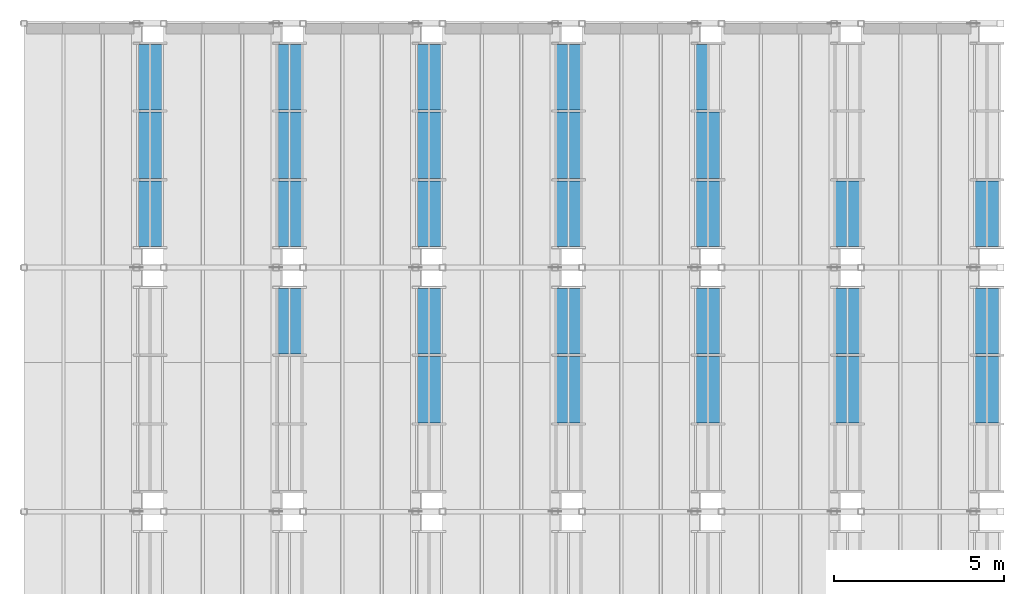
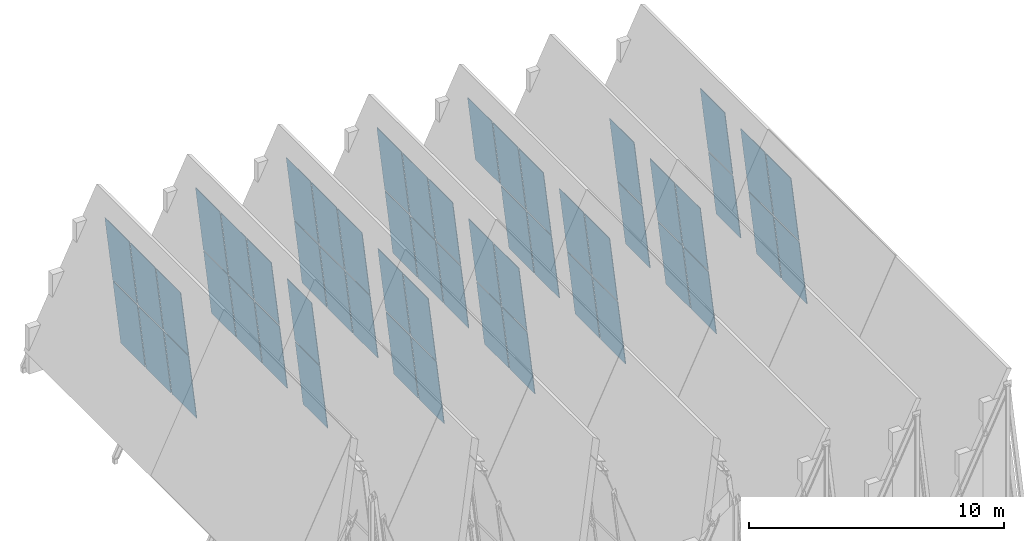
# One storey, part 16 of 28: 55 plates, 13 elements without a shape of their own.
"""IFC4 building model written with IfcOpenShell, lengths in metres."""

from ifc_helpers import new_model, si_unit, direction, frame, origin, place, context, subcontext, project, spatial, polyline, outline, extrude, material, layer, layer_set, type_object, element, aggregate, save


model = new_model("IFC4")

# Units and contexts
model_context = context("Model", 3, precision=1e-05, world=origin(), true_north=direction((0.0, 1.0)))
body_context = subcontext(model_context, "Body", "Model", "MODEL_VIEW")
ifc_project = project(units=[si_unit("LENGTHUNIT", "METRE"), si_unit("AREAUNIT", "SQUARE_METRE"), si_unit("VOLUMEUNIT", "CUBIC_METRE"), si_unit("PLANEANGLEUNIT", "RADIAN"), si_unit("MASSUNIT", "GRAM", prefix="KILO")], contexts=[model_context])

# Site, building, storey
site_placement = place(None, origin())
site = spatial("IfcSite", under=ifc_project, at=site_placement, CompositionType="ELEMENT")
building_placement = place(site_placement, origin())
building = spatial("IfcBuilding", under=site, at=building_placement, Name="Bramveld Media Centre", CompositionType="ELEMENT")
storey_placement = place(building_placement, frame((0.0, 0.0, 33.89990234375)))
storey = spatial("IfcBuildingStorey", under=building, at=storey_placement, Name="ROOF", CompositionType="ELEMENT", Elevation=33.89990234375)

# Curtain wall, plates
ifc_material_1 = material(Name="Thermally broken anodized bronze aluminium unitized curtain wall with solar-control triple glazing", Category="aluminium")
curtain_wall_type = type_object("IfcCurtainWallType", Name="CW-CRN-6100x6941", PredefinedType="NOTDEFINED", material=ifc_material_1)
curtain_wall_1_placement = place(storey_placement, origin())
curtain_wall_1 = element("IfcCurtainWall", 1, at=curtain_wall_1_placement, inside=storey, type_object=curtain_wall_type, Name="V7 crown clerestory B1-S4", PredefinedType="NOTDEFINED")
ifc_material_2 = material(Name="Solar-control triple insulating safety glass unit", Category="glass")
ifc_layer = layer(ifc_material_2, 0.028076171875)
ifc_layer_set = layer_set([ifc_layer], Name="Solar-control triple insulating safety glass unit")
plate_type = type_object("IfcPlateType", Name="CW-PAN-SLP", PredefinedType="CURTAIN_PANEL", material=ifc_layer_set)
plate_1_placement = place(storey_placement, frame((135.2783203125, 105.419921875, 0.290771484375), z_axis=(0.993328224304, 0.0, 0.115321458548), x_axis=(0.0, 1.0, 0.0)))
plate_1 = element("IfcPlate", 2, at=plate_1_placement, type_object=plate_type, Name="CW-CR-6169 glass panel 1.1", PredefinedType="CURTAIN_PANEL", context=body_context, shape_type="SweptSolid", body=[
    extrude(outline(polyline([(0.0, 0.0), (1.928466796875, 0.0), (1.928466796875, 3.1226401955900727), (0.0, 3.1226401955900727), (0.0, 0.0)])), origin(), (0.0, 0.0, -1.0), 0.028076171875),
])
plate_2_placement = place(storey_placement, frame((134.910400390625, 105.419921875, 3.462158203125), z_axis=(0.993329263955, 0.0, 0.115312503096), x_axis=(0.0, 1.0, 0.0)))
plate_2 = element("IfcPlate", 3, at=plate_2_placement, type_object=plate_type, Name="CW-CR-6169 glass panel 1.2", PredefinedType="CURTAIN_PANEL", context=body_context, shape_type="SweptSolid", body=[
    extrude(outline(polyline([(0.0, 0.0), (1.928466796875, 0.0), (1.928466796875, 3.1228827074905), (0.0, 3.1228827074905), (0.0, 0.0)])), origin(), (0.0, 0.0, -1.0), 0.028076171875),
])
plate_3_placement = place(storey_placement, frame((135.2783203125, 107.418212890625, 0.290771484375), z_axis=(0.993328224304, 0.0, 0.115321458548), x_axis=(0.0, 1.0, 0.0)))
plate_3 = element("IfcPlate", 4, at=plate_3_placement, type_object=plate_type, Name="CW-CR-6169 glass panel 2.1", PredefinedType="CURTAIN_PANEL", context=body_context, shape_type="SweptSolid", body=[
    extrude(outline(polyline([(0.0, 0.0), (1.96337890625, 0.0), (1.96337890625, 3.122640195590072), (0.0, 3.122640195590072), (0.0, 0.0)])), origin(), (0.0, 0.0, -1.0), 0.028076171875),
])
plate_4_placement = place(storey_placement, frame((134.910400390625, 107.418212890625, 3.462158203125), z_axis=(0.993329263955, 0.0, 0.115312503096), x_axis=(0.0, 1.0, 0.0)))
plate_4 = element("IfcPlate", 5, at=plate_4_placement, type_object=plate_type, Name="CW-CR-6169 glass panel 2.2", PredefinedType="CURTAIN_PANEL", context=body_context, shape_type="SweptSolid", body=[
    extrude(outline(polyline([(0.0, 0.0), (1.96337890625, 0.0), (1.96337890625, 3.1228827074904997), (0.0, 3.1228827074904997), (0.0, 0.0)])), origin(), (0.0, 0.0, -1.0), 0.028076171875),
])
plate_5_placement = place(storey_placement, frame((135.2783203125, 109.45166015625, 0.290771484375), z_axis=(0.993328224304, 0.0, 0.115321458548), x_axis=(0.0, 1.0, 0.0)))
plate_5 = element("IfcPlate", 6, at=plate_5_placement, type_object=plate_type, Name="CW-CR-6169 glass panel 3.1", PredefinedType="CURTAIN_PANEL", context=body_context, shape_type="SweptSolid", body=[
    extrude(outline(polyline([(0.0, 0.0), (1.92822265625, 0.0), (1.92822265625, 3.1226401955900727), (0.0, 3.1226401955900727), (0.0, 0.0)])), origin(), (0.0, 0.0, -1.0), 0.028076171875),
])
plate_6_placement = place(storey_placement, frame((134.910400390625, 109.45166015625, 3.462158203125), z_axis=(0.993329263955, 0.0, 0.115312503096), x_axis=(0.0, 1.0, 0.0)))
plate_6 = element("IfcPlate", 7, at=plate_6_placement, type_object=plate_type, Name="CW-CR-6169 glass panel 3.2", PredefinedType="CURTAIN_PANEL", context=body_context, shape_type="SweptSolid", body=[
    extrude(outline(polyline([(0.0, 0.0), (1.92822265625, 0.0), (1.92822265625, 3.1228827074904997), (0.0, 3.1228827074904997), (0.0, 0.0)])), origin(), (0.0, 0.0, -1.0), 0.028076171875),
])
aggregate(curtain_wall_1, [plate_1, plate_2, plate_3, plate_4, plate_5, plate_6])

curtain_wall_2_placement = place(storey_placement, origin())
curtain_wall_2 = element("IfcCurtainWall", 8, at=curtain_wall_2_placement, inside=storey, type_object=curtain_wall_type, Name="V7 crown clerestory B2-S3", PredefinedType="NOTDEFINED")
plate_7_placement = place(storey_placement, frame((139.392578125, 102.251708984375, 0.290771484375), z_axis=(0.993337177532, 0.0, 0.115244313237), x_axis=(0.0, 1.0, 0.0)))
plate_7 = element("IfcPlate", 9, at=plate_7_placement, type_object=plate_type, Name="CW-CR-6169 glass panel 3.1", PredefinedType="CURTAIN_PANEL", context=body_context, shape_type="SweptSolid", body=[
    extrude(outline(polyline([(0.0, 0.0), (1.92822265625, 0.0), (1.92822265625, 3.122612050354217), (0.0, 3.122612050354217), (0.0, 0.0)])), origin(), (0.0, 0.0, -1.0), 0.028076171875),
])
plate_8_placement = place(storey_placement, frame((139.024658203125, 102.251708984375, 3.462158203125), z_axis=(0.993329263955, 0.0, 0.115312503096), x_axis=(0.0, 1.0, 0.0)))
plate_8 = element("IfcPlate", 10, at=plate_8_placement, type_object=plate_type, Name="CW-CR-6169 glass panel 3.2", PredefinedType="CURTAIN_PANEL", context=body_context, shape_type="SweptSolid", body=[
    extrude(outline(polyline([(0.0, 0.0), (1.92822265625, 0.0), (1.92822265625, 3.1228827074904997), (0.0, 3.1228827074904997), (0.0, 0.0)])), origin(), (0.0, 0.0, -1.0), 0.028076171875),
])
aggregate(curtain_wall_2, [plate_7, plate_8])

curtain_wall_3_placement = place(storey_placement, origin())
curtain_wall_3 = element("IfcCurtainWall", 11, at=curtain_wall_3_placement, inside=storey, type_object=curtain_wall_type, Name="V7 crown clerestory B2-S4", PredefinedType="NOTDEFINED")
plate_9_placement = place(storey_placement, frame((139.392578125, 105.419921875, 0.290771484375), z_axis=(0.993337177532, 0.0, 0.115244313237), x_axis=(0.0, 1.0, 0.0)))
plate_9 = element("IfcPlate", 12, at=plate_9_placement, type_object=plate_type, Name="CW-CR-6169 glass panel 1.1", PredefinedType="CURTAIN_PANEL", context=body_context, shape_type="SweptSolid", body=[
    extrude(outline(polyline([(0.0, 0.0), (1.928466796875, 0.0), (1.928466796875, 3.122612050354217), (0.0, 3.122612050354217), (0.0, 0.0)])), origin(), (0.0, 0.0, -1.0), 0.028076171875),
])
plate_10_placement = place(storey_placement, frame((139.024658203125, 105.419921875, 3.462158203125), z_axis=(0.993329263955, 0.0, 0.115312503096), x_axis=(0.0, 1.0, 0.0)))
plate_10 = element("IfcPlate", 13, at=plate_10_placement, type_object=plate_type, Name="CW-CR-6169 glass panel 1.2", PredefinedType="CURTAIN_PANEL", context=body_context, shape_type="SweptSolid", body=[
    extrude(outline(polyline([(0.0, 0.0), (1.928466796875, 0.0), (1.928466796875, 3.1228827074905), (0.0, 3.1228827074905), (0.0, 0.0)])), origin(), (0.0, 0.0, -1.0), 0.028076171875),
])
plate_11_placement = place(storey_placement, frame((139.392578125, 107.418212890625, 0.290771484375), z_axis=(0.993337177532, 0.0, 0.115244313237), x_axis=(0.0, 1.0, 0.0)))
plate_11 = element("IfcPlate", 14, at=plate_11_placement, type_object=plate_type, Name="CW-CR-6169 glass panel 2.1", PredefinedType="CURTAIN_PANEL", context=body_context, shape_type="SweptSolid", body=[
    extrude(outline(polyline([(0.0, 0.0), (1.96337890625, 0.0), (1.96337890625, 3.122612050354217), (0.0, 3.122612050354217), (0.0, 0.0)])), origin(), (0.0, 0.0, -1.0), 0.028076171875),
])
plate_12_placement = place(storey_placement, frame((139.024658203125, 107.418212890625, 3.462158203125), z_axis=(0.993329263955, 0.0, 0.115312503096), x_axis=(0.0, 1.0, 0.0)))
plate_12 = element("IfcPlate", 15, at=plate_12_placement, type_object=plate_type, Name="CW-CR-6169 glass panel 2.2", PredefinedType="CURTAIN_PANEL", context=body_context, shape_type="SweptSolid", body=[
    extrude(outline(polyline([(0.0, 0.0), (1.96337890625, 0.0), (1.96337890625, 3.1228827074904997), (0.0, 3.1228827074904997), (0.0, 0.0)])), origin(), (0.0, 0.0, -1.0), 0.028076171875),
])
plate_13_placement = place(storey_placement, frame((139.392578125, 109.45166015625, 0.290771484375), z_axis=(0.993337177532, 0.0, 0.115244313237), x_axis=(0.0, 1.0, 0.0)))
plate_13 = element("IfcPlate", 16, at=plate_13_placement, type_object=plate_type, Name="CW-CR-6169 glass panel 3.1", PredefinedType="CURTAIN_PANEL", context=body_context, shape_type="SweptSolid", body=[
    extrude(outline(polyline([(0.0, 0.0), (1.92822265625, 0.0), (1.92822265625, 3.122612050354217), (0.0, 3.122612050354217), (0.0, 0.0)])), origin(), (0.0, 0.0, -1.0), 0.028076171875),
])
plate_14_placement = place(storey_placement, frame((139.024658203125, 109.45166015625, 3.462158203125), z_axis=(0.993329263955, 0.0, 0.115312503096), x_axis=(0.0, 1.0, 0.0)))
plate_14 = element("IfcPlate", 17, at=plate_14_placement, type_object=plate_type, Name="CW-CR-6169 glass panel 3.2", PredefinedType="CURTAIN_PANEL", context=body_context, shape_type="SweptSolid", body=[
    extrude(outline(polyline([(0.0, 0.0), (1.92822265625, 0.0), (1.92822265625, 3.1228827074904997), (0.0, 3.1228827074904997), (0.0, 0.0)])), origin(), (0.0, 0.0, -1.0), 0.028076171875),
])
aggregate(curtain_wall_3, [plate_9, plate_10, plate_11, plate_12, plate_13, plate_14])

curtain_wall_4_placement = place(storey_placement, origin())
curtain_wall_4 = element("IfcCurtainWall", 18, at=curtain_wall_4_placement, inside=storey, type_object=curtain_wall_type, Name="V7 crown clerestory B3-S3", PredefinedType="NOTDEFINED")
plate_15_placement = place(storey_placement, frame((143.5068359375, 100.21826171875, 0.290771484375), z_axis=(0.993337177532, 0.0, 0.115244313237), x_axis=(0.0, 1.0, 0.0)))
plate_15 = element("IfcPlate", 19, at=plate_15_placement, type_object=plate_type, Name="CW-CR-6169 glass panel 2.1", PredefinedType="CURTAIN_PANEL", context=body_context, shape_type="SweptSolid", body=[
    extrude(outline(polyline([(0.0, 0.0), (1.96337890625, 0.0), (1.96337890625, 3.122612050354217), (0.0, 3.122612050354217), (0.0, 0.0)])), origin(), (0.0, 0.0, -1.0), 0.028076171875),
])
plate_16_placement = place(storey_placement, frame((143.138916015625, 100.21826171875, 3.462158203125), z_axis=(0.993329263955, 0.0, 0.115312503096), x_axis=(0.0, 1.0, 0.0)))
plate_16 = element("IfcPlate", 20, at=plate_16_placement, type_object=plate_type, Name="CW-CR-6169 glass panel 2.2", PredefinedType="CURTAIN_PANEL", context=body_context, shape_type="SweptSolid", body=[
    extrude(outline(polyline([(0.0, 0.0), (1.96337890625, 0.0), (1.96337890625, 3.1228827074904997), (0.0, 3.1228827074904997), (0.0, 0.0)])), origin(), (0.0, 0.0, -1.0), 0.028076171875),
])
plate_17_placement = place(storey_placement, frame((143.5068359375, 102.251708984375, 0.290771484375), z_axis=(0.993337177532, 0.0, 0.115244313237), x_axis=(0.0, 1.0, 0.0)))
plate_17 = element("IfcPlate", 21, at=plate_17_placement, type_object=plate_type, Name="CW-CR-6169 glass panel 3.1", PredefinedType="CURTAIN_PANEL", context=body_context, shape_type="SweptSolid", body=[
    extrude(outline(polyline([(0.0, 0.0), (1.92822265625, 0.0), (1.92822265625, 3.122612050354217), (0.0, 3.122612050354217), (0.0, 0.0)])), origin(), (0.0, 0.0, -1.0), 0.028076171875),
])
plate_18_placement = place(storey_placement, frame((143.138916015625, 102.251708984375, 3.462158203125), z_axis=(0.993329263955, 0.0, 0.115312503096), x_axis=(0.0, 1.0, 0.0)))
plate_18 = element("IfcPlate", 22, at=plate_18_placement, type_object=plate_type, Name="CW-CR-6169 glass panel 3.2", PredefinedType="CURTAIN_PANEL", context=body_context, shape_type="SweptSolid", body=[
    extrude(outline(polyline([(0.0, 0.0), (1.92822265625, 0.0), (1.92822265625, 3.1228827074904997), (0.0, 3.1228827074904997), (0.0, 0.0)])), origin(), (0.0, 0.0, -1.0), 0.028076171875),
])
aggregate(curtain_wall_4, [plate_15, plate_16, plate_17, plate_18])

curtain_wall_5_placement = place(storey_placement, origin())
curtain_wall_5 = element("IfcCurtainWall", 23, at=curtain_wall_5_placement, inside=storey, type_object=curtain_wall_type, Name="V7 crown clerestory B3-S4", PredefinedType="NOTDEFINED")
plate_19_placement = place(storey_placement, frame((143.5068359375, 105.419921875, 0.290771484375), z_axis=(0.993337177532, 0.0, 0.115244313237), x_axis=(0.0, 1.0, 0.0)))
plate_19 = element("IfcPlate", 24, at=plate_19_placement, type_object=plate_type, Name="CW-CR-6169 glass panel 1.1", PredefinedType="CURTAIN_PANEL", context=body_context, shape_type="SweptSolid", body=[
    extrude(outline(polyline([(0.0, 0.0), (1.928466796875, 0.0), (1.928466796875, 3.122612050354217), (0.0, 3.122612050354217), (0.0, 0.0)])), origin(), (0.0, 0.0, -1.0), 0.028076171875),
])
plate_20_placement = place(storey_placement, frame((143.138916015625, 105.419921875, 3.462158203125), z_axis=(0.993329263955, 0.0, 0.115312503096), x_axis=(0.0, 1.0, 0.0)))
plate_20 = element("IfcPlate", 25, at=plate_20_placement, type_object=plate_type, Name="CW-CR-6169 glass panel 1.2", PredefinedType="CURTAIN_PANEL", context=body_context, shape_type="SweptSolid", body=[
    extrude(outline(polyline([(0.0, 0.0), (1.928466796875, 0.0), (1.928466796875, 3.1228827074905), (0.0, 3.1228827074905), (0.0, 0.0)])), origin(), (0.0, 0.0, -1.0), 0.028076171875),
])
plate_21_placement = place(storey_placement, frame((143.5068359375, 107.418212890625, 0.290771484375), z_axis=(0.993337177532, 0.0, 0.115244313237), x_axis=(0.0, 1.0, 0.0)))
plate_21 = element("IfcPlate", 26, at=plate_21_placement, type_object=plate_type, Name="CW-CR-6169 glass panel 2.1", PredefinedType="CURTAIN_PANEL", context=body_context, shape_type="SweptSolid", body=[
    extrude(outline(polyline([(0.0, 0.0), (1.96337890625, 0.0), (1.96337890625, 3.122612050354217), (0.0, 3.122612050354217), (0.0, 0.0)])), origin(), (0.0, 0.0, -1.0), 0.028076171875),
])
plate_22_placement = place(storey_placement, frame((143.138916015625, 107.418212890625, 3.462158203125), z_axis=(0.993329263955, 0.0, 0.115312503096), x_axis=(0.0, 1.0, 0.0)))
plate_22 = element("IfcPlate", 27, at=plate_22_placement, type_object=plate_type, Name="CW-CR-6169 glass panel 2.2", PredefinedType="CURTAIN_PANEL", context=body_context, shape_type="SweptSolid", body=[
    extrude(outline(polyline([(0.0, 0.0), (1.96337890625, 0.0), (1.96337890625, 3.1228827074904997), (0.0, 3.1228827074904997), (0.0, 0.0)])), origin(), (0.0, 0.0, -1.0), 0.028076171875),
])
plate_23_placement = place(storey_placement, frame((143.5068359375, 109.45166015625, 0.290771484375), z_axis=(0.993337177532, 0.0, 0.115244313237), x_axis=(0.0, 1.0, 0.0)))
plate_23 = element("IfcPlate", 28, at=plate_23_placement, type_object=plate_type, Name="CW-CR-6169 glass panel 3.1", PredefinedType="CURTAIN_PANEL", context=body_context, shape_type="SweptSolid", body=[
    extrude(outline(polyline([(0.0, 0.0), (1.92822265625, 0.0), (1.92822265625, 3.122612050354217), (0.0, 3.122612050354217), (0.0, 0.0)])), origin(), (0.0, 0.0, -1.0), 0.028076171875),
])
plate_24_placement = place(storey_placement, frame((143.138916015625, 109.45166015625, 3.462158203125), z_axis=(0.993329263955, 0.0, 0.115312503096), x_axis=(0.0, 1.0, 0.0)))
plate_24 = element("IfcPlate", 29, at=plate_24_placement, type_object=plate_type, Name="CW-CR-6169 glass panel 3.2", PredefinedType="CURTAIN_PANEL", context=body_context, shape_type="SweptSolid", body=[
    extrude(outline(polyline([(0.0, 0.0), (1.92822265625, 0.0), (1.92822265625, 3.1228827074904997), (0.0, 3.1228827074904997), (0.0, 0.0)])), origin(), (0.0, 0.0, -1.0), 0.028076171875),
])
aggregate(curtain_wall_5, [plate_19, plate_20, plate_21, plate_22, plate_23, plate_24])

curtain_wall_6_placement = place(storey_placement, origin())
curtain_wall_6 = element("IfcCurtainWall", 30, at=curtain_wall_6_placement, inside=storey, type_object=curtain_wall_type, Name="V7 crown clerestory B4-S3", PredefinedType="NOTDEFINED")
plate_25_placement = place(storey_placement, frame((147.62109375, 100.21826171875, 0.290771484375), z_axis=(0.993337177532, 0.0, 0.115244313237), x_axis=(0.0, 1.0, 0.0)))
plate_25 = element("IfcPlate", 31, at=plate_25_placement, type_object=plate_type, Name="CW-CR-6169 glass panel 2.1", PredefinedType="CURTAIN_PANEL", context=body_context, shape_type="SweptSolid", body=[
    extrude(outline(polyline([(0.0, 0.0), (1.96337890625, 0.0), (1.96337890625, 3.122612050354217), (0.0, 3.122612050354217), (0.0, 0.0)])), origin(), (0.0, 0.0, -1.0), 0.028076171875),
])
plate_26_placement = place(storey_placement, frame((147.253173828125, 100.21826171875, 3.462158203125), z_axis=(0.993338215802, 0.0, 0.115235363615), x_axis=(0.0, 1.0, 0.0)))
plate_26 = element("IfcPlate", 32, at=plate_26_placement, type_object=plate_type, Name="CW-CR-6169 glass panel 2.2", PredefinedType="CURTAIN_PANEL", context=body_context, shape_type="SweptSolid", body=[
    extrude(outline(polyline([(0.0, 0.0), (1.96337890625, 0.0), (1.96337890625, 3.122854564440322), (0.0, 3.122854564440322), (0.0, 0.0)])), origin(), (0.0, 0.0, -1.0), 0.028076171875),
])
plate_27_placement = place(storey_placement, frame((147.62109375, 102.251708984375, 0.290771484375), z_axis=(0.993337177532, 0.0, 0.115244313237), x_axis=(0.0, 1.0, 0.0)))
plate_27 = element("IfcPlate", 33, at=plate_27_placement, type_object=plate_type, Name="CW-CR-6169 glass panel 3.1", PredefinedType="CURTAIN_PANEL", context=body_context, shape_type="SweptSolid", body=[
    extrude(outline(polyline([(0.0, 0.0), (1.92822265625, 0.0), (1.92822265625, 3.122612050354217), (0.0, 3.122612050354217), (0.0, 0.0)])), origin(), (0.0, 0.0, -1.0), 0.028076171875),
])
plate_28_placement = place(storey_placement, frame((147.253173828125, 102.251708984375, 3.462158203125), z_axis=(0.993338215802, 0.0, 0.115235363615), x_axis=(0.0, 1.0, 0.0)))
plate_28 = element("IfcPlate", 34, at=plate_28_placement, type_object=plate_type, Name="CW-CR-6169 glass panel 3.2", PredefinedType="CURTAIN_PANEL", context=body_context, shape_type="SweptSolid", body=[
    extrude(outline(polyline([(0.0, 0.0), (1.92822265625, 0.0), (1.92822265625, 3.1228545644403223), (0.0, 3.1228545644403223), (0.0, 0.0)])), origin(), (0.0, 0.0, -1.0), 0.028076171875),
])
aggregate(curtain_wall_6, [plate_25, plate_26, plate_27, plate_28])

curtain_wall_7_placement = place(storey_placement, origin())
curtain_wall_7 = element("IfcCurtainWall", 35, at=curtain_wall_7_placement, inside=storey, type_object=curtain_wall_type, Name="V7 crown clerestory B4-S4", PredefinedType="NOTDEFINED")
plate_29_placement = place(storey_placement, frame((147.62109375, 105.419921875, 0.290771484375), z_axis=(0.993337177532, 0.0, 0.115244313237), x_axis=(0.0, 1.0, 0.0)))
plate_29 = element("IfcPlate", 36, at=plate_29_placement, type_object=plate_type, Name="CW-CR-6169 glass panel 1.1", PredefinedType="CURTAIN_PANEL", context=body_context, shape_type="SweptSolid", body=[
    extrude(outline(polyline([(0.0, 0.0), (1.928466796875, 0.0), (1.928466796875, 3.122612050354217), (0.0, 3.122612050354217), (0.0, 0.0)])), origin(), (0.0, 0.0, -1.0), 0.028076171875),
])
plate_30_placement = place(storey_placement, frame((147.253173828125, 105.419921875, 3.462158203125), z_axis=(0.993338215802, 0.0, 0.115235363615), x_axis=(0.0, 1.0, 0.0)))
plate_30 = element("IfcPlate", 37, at=plate_30_placement, type_object=plate_type, Name="CW-CR-6169 glass panel 1.2", PredefinedType="CURTAIN_PANEL", context=body_context, shape_type="SweptSolid", body=[
    extrude(outline(polyline([(0.0, 0.0), (1.928466796875, 0.0), (1.928466796875, 3.1228545644403223), (0.0, 3.1228545644403223), (0.0, 0.0)])), origin(), (0.0, 0.0, -1.0), 0.028076171875),
])
plate_31_placement = place(storey_placement, frame((147.62109375, 107.418212890625, 0.290771484375), z_axis=(0.993337177532, 0.0, 0.115244313237), x_axis=(0.0, 1.0, 0.0)))
plate_31 = element("IfcPlate", 38, at=plate_31_placement, type_object=plate_type, Name="CW-CR-6169 glass panel 2.1", PredefinedType="CURTAIN_PANEL", context=body_context, shape_type="SweptSolid", body=[
    extrude(outline(polyline([(0.0, 0.0), (1.96337890625, 0.0), (1.96337890625, 3.122612050354217), (0.0, 3.122612050354217), (0.0, 0.0)])), origin(), (0.0, 0.0, -1.0), 0.028076171875),
])
plate_32_placement = place(storey_placement, frame((147.253173828125, 107.418212890625, 3.462158203125), z_axis=(0.993338215802, 0.0, 0.115235363615), x_axis=(0.0, 1.0, 0.0)))
plate_32 = element("IfcPlate", 39, at=plate_32_placement, type_object=plate_type, Name="CW-CR-6169 glass panel 2.2", PredefinedType="CURTAIN_PANEL", context=body_context, shape_type="SweptSolid", body=[
    extrude(outline(polyline([(0.0, 0.0), (1.96337890625, 0.0), (1.96337890625, 3.122854564440322), (0.0, 3.122854564440322), (0.0, 0.0)])), origin(), (0.0, 0.0, -1.0), 0.028076171875),
])
plate_33_placement = place(storey_placement, frame((147.62109375, 109.45166015625, 0.290771484375), z_axis=(0.993337177532, 0.0, 0.115244313237), x_axis=(0.0, 1.0, 0.0)))
plate_33 = element("IfcPlate", 40, at=plate_33_placement, type_object=plate_type, Name="CW-CR-6169 glass panel 3.1", PredefinedType="CURTAIN_PANEL", context=body_context, shape_type="SweptSolid", body=[
    extrude(outline(polyline([(0.0, 0.0), (1.92822265625, 0.0), (1.92822265625, 3.122612050354217), (0.0, 3.122612050354217), (0.0, 0.0)])), origin(), (0.0, 0.0, -1.0), 0.028076171875),
])
plate_34_placement = place(storey_placement, frame((147.253173828125, 109.45166015625, 3.462158203125), z_axis=(0.993338215802, 0.0, 0.115235363615), x_axis=(0.0, 1.0, 0.0)))
plate_34 = element("IfcPlate", 41, at=plate_34_placement, type_object=plate_type, Name="CW-CR-6169 glass panel 3.2", PredefinedType="CURTAIN_PANEL", context=body_context, shape_type="SweptSolid", body=[
    extrude(outline(polyline([(0.0, 0.0), (1.92822265625, 0.0), (1.92822265625, 3.1228545644403223), (0.0, 3.1228545644403223), (0.0, 0.0)])), origin(), (0.0, 0.0, -1.0), 0.028076171875),
])
aggregate(curtain_wall_7, [plate_29, plate_30, plate_31, plate_32, plate_33, plate_34])

curtain_wall_8_placement = place(storey_placement, origin())
curtain_wall_8 = element("IfcCurtainWall", 42, at=curtain_wall_8_placement, inside=storey, type_object=curtain_wall_type, Name="V7 crown clerestory B5-S3", PredefinedType="NOTDEFINED")
plate_35_placement = place(storey_placement, frame((151.7353515625, 100.21826171875, 0.290771484375), z_axis=(0.993337177532, 0.0, 0.115244313237), x_axis=(0.0, 1.0, 0.0)))
plate_35 = element("IfcPlate", 43, at=plate_35_placement, type_object=plate_type, Name="CW-CR-6169 glass panel 2.1", PredefinedType="CURTAIN_PANEL", context=body_context, shape_type="SweptSolid", body=[
    extrude(outline(polyline([(0.0, 0.0), (1.96337890625, 0.0), (1.96337890625, 3.122612050354217), (0.0, 3.122612050354217), (0.0, 0.0)])), origin(), (0.0, 0.0, -1.0), 0.028076171875),
])
plate_36_placement = place(storey_placement, frame((151.367431640625, 100.21826171875, 3.462158203125), z_axis=(0.993329263955, 0.0, 0.115312503096), x_axis=(0.0, 1.0, 0.0)))
plate_36 = element("IfcPlate", 44, at=plate_36_placement, type_object=plate_type, Name="CW-CR-6169 glass panel 2.2", PredefinedType="CURTAIN_PANEL", context=body_context, shape_type="SweptSolid", body=[
    extrude(outline(polyline([(0.0, 0.0), (1.96337890625, 0.0), (1.96337890625, 3.1228827074904997), (0.0, 3.1228827074904997), (0.0, 0.0)])), origin(), (0.0, 0.0, -1.0), 0.028076171875),
])
plate_37_placement = place(storey_placement, frame((151.7353515625, 102.251708984375, 0.290771484375), z_axis=(0.993337177532, 0.0, 0.115244313237), x_axis=(0.0, 1.0, 0.0)))
plate_37 = element("IfcPlate", 45, at=plate_37_placement, type_object=plate_type, Name="CW-CR-6169 glass panel 3.1", PredefinedType="CURTAIN_PANEL", context=body_context, shape_type="SweptSolid", body=[
    extrude(outline(polyline([(0.0, 0.0), (1.92822265625, 0.0), (1.92822265625, 3.122612050354217), (0.0, 3.122612050354217), (0.0, 0.0)])), origin(), (0.0, 0.0, -1.0), 0.028076171875),
])
plate_38_placement = place(storey_placement, frame((151.367431640625, 102.251708984375, 3.462158203125), z_axis=(0.993329263955, 0.0, 0.115312503096), x_axis=(0.0, 1.0, 0.0)))
plate_38 = element("IfcPlate", 46, at=plate_38_placement, type_object=plate_type, Name="CW-CR-6169 glass panel 3.2", PredefinedType="CURTAIN_PANEL", context=body_context, shape_type="SweptSolid", body=[
    extrude(outline(polyline([(0.0, 0.0), (1.92822265625, 0.0), (1.92822265625, 3.1228827074904997), (0.0, 3.1228827074904997), (0.0, 0.0)])), origin(), (0.0, 0.0, -1.0), 0.028076171875),
])
aggregate(curtain_wall_8, [plate_35, plate_36, plate_37, plate_38])

curtain_wall_9_placement = place(storey_placement, origin())
curtain_wall_9 = element("IfcCurtainWall", 47, at=curtain_wall_9_placement, inside=storey, type_object=curtain_wall_type, Name="V7 crown clerestory B5-S4", PredefinedType="NOTDEFINED")
plate_39_placement = place(storey_placement, frame((151.7353515625, 105.419921875, 0.290771484375), z_axis=(0.993337177532, 0.0, 0.115244313237), x_axis=(0.0, 1.0, 0.0)))
plate_39 = element("IfcPlate", 48, at=plate_39_placement, type_object=plate_type, Name="CW-CR-6169 glass panel 1.1", PredefinedType="CURTAIN_PANEL", context=body_context, shape_type="SweptSolid", body=[
    extrude(outline(polyline([(0.0, 0.0), (1.928466796875, 0.0), (1.928466796875, 3.122612050354217), (0.0, 3.122612050354217), (0.0, 0.0)])), origin(), (0.0, 0.0, -1.0), 0.028076171875),
])
plate_40_placement = place(storey_placement, frame((151.367431640625, 105.419921875, 3.462158203125), z_axis=(0.993329263955, 0.0, 0.115312503096), x_axis=(0.0, 1.0, 0.0)))
plate_40 = element("IfcPlate", 49, at=plate_40_placement, type_object=plate_type, Name="CW-CR-6169 glass panel 1.2", PredefinedType="CURTAIN_PANEL", context=body_context, shape_type="SweptSolid", body=[
    extrude(outline(polyline([(0.0, 0.0), (1.928466796875, 0.0), (1.928466796875, 3.1228827074905), (0.0, 3.1228827074905), (0.0, 0.0)])), origin(), (0.0, 0.0, -1.0), 0.028076171875),
])
plate_41_placement = place(storey_placement, frame((151.7353515625, 107.418212890625, 0.290771484375), z_axis=(0.993337177532, 0.0, 0.115244313237), x_axis=(0.0, 1.0, 0.0)))
plate_41 = element("IfcPlate", 50, at=plate_41_placement, type_object=plate_type, Name="CW-CR-6169 glass panel 2.1", PredefinedType="CURTAIN_PANEL", context=body_context, shape_type="SweptSolid", body=[
    extrude(outline(polyline([(0.0, 0.0), (1.96337890625, 0.0), (1.96337890625, 3.122612050354217), (0.0, 3.122612050354217), (0.0, 0.0)])), origin(), (0.0, 0.0, -1.0), 0.028076171875),
])
plate_42_placement = place(storey_placement, frame((151.367431640625, 107.418212890625, 3.462158203125), z_axis=(0.993329263955, 0.0, 0.115312503096), x_axis=(0.0, 1.0, 0.0)))
plate_42 = element("IfcPlate", 51, at=plate_42_placement, type_object=plate_type, Name="CW-CR-6169 glass panel 2.2", PredefinedType="CURTAIN_PANEL", context=body_context, shape_type="SweptSolid", body=[
    extrude(outline(polyline([(0.0, 0.0), (1.96337890625, 0.0), (1.96337890625, 3.1228827074904997), (0.0, 3.1228827074904997), (0.0, 0.0)])), origin(), (0.0, 0.0, -1.0), 0.028076171875),
])
plate_43_placement = place(storey_placement, frame((151.367431640625, 109.45166015625, 3.462158203125), z_axis=(0.993329263955, 0.0, 0.115312503096), x_axis=(0.0, 1.0, 0.0)))
plate_43 = element("IfcPlate", 52, at=plate_43_placement, type_object=plate_type, Name="CW-CR-6169 glass panel 3.2", PredefinedType="CURTAIN_PANEL", context=body_context, shape_type="SweptSolid", body=[
    extrude(outline(polyline([(0.0, 0.0), (1.92822265625, 0.0), (1.92822265625, 3.1228827074904997), (0.0, 3.1228827074904997), (0.0, 0.0)])), origin(), (0.0, 0.0, -1.0), 0.028076171875),
])
aggregate(curtain_wall_9, [plate_39, plate_40, plate_41, plate_42, plate_43])

curtain_wall_10_placement = place(storey_placement, origin())
curtain_wall_10 = element("IfcCurtainWall", 53, at=curtain_wall_10_placement, inside=storey, type_object=curtain_wall_type, Name="V7 crown clerestory B6-S3", PredefinedType="NOTDEFINED")
plate_44_placement = place(storey_placement, frame((155.849609375, 100.21826171875, 0.290771484375), z_axis=(0.993337177532, 0.0, 0.115244313237), x_axis=(0.0, 1.0, 0.0)))
plate_44 = element("IfcPlate", 54, at=plate_44_placement, type_object=plate_type, Name="CW-CR-6169 glass panel 2.1", PredefinedType="CURTAIN_PANEL", context=body_context, shape_type="SweptSolid", body=[
    extrude(outline(polyline([(0.0, 0.0), (1.96337890625, 0.0), (1.96337890625, 3.122612050354217), (0.0, 3.122612050354217), (0.0, 0.0)])), origin(), (0.0, 0.0, -1.0), 0.028076171875),
])
plate_45_placement = place(storey_placement, frame((155.481689453125, 100.21826171875, 3.462158203125), z_axis=(0.993329263955, 0.0, 0.115312503096), x_axis=(0.0, 1.0, 0.0)))
plate_45 = element("IfcPlate", 55, at=plate_45_placement, type_object=plate_type, Name="CW-CR-6169 glass panel 2.2", PredefinedType="CURTAIN_PANEL", context=body_context, shape_type="SweptSolid", body=[
    extrude(outline(polyline([(0.0, 0.0), (1.96337890625, 0.0), (1.96337890625, 3.1228827074904997), (0.0, 3.1228827074904997), (0.0, 0.0)])), origin(), (0.0, 0.0, -1.0), 0.028076171875),
])
plate_46_placement = place(storey_placement, frame((155.849609375, 102.251708984375, 0.290771484375), z_axis=(0.993337177532, 0.0, 0.115244313237), x_axis=(0.0, 1.0, 0.0)))
plate_46 = element("IfcPlate", 56, at=plate_46_placement, type_object=plate_type, Name="CW-CR-6169 glass panel 3.1", PredefinedType="CURTAIN_PANEL", context=body_context, shape_type="SweptSolid", body=[
    extrude(outline(polyline([(0.0, 0.0), (1.92822265625, 0.0), (1.92822265625, 3.122612050354217), (0.0, 3.122612050354217), (0.0, 0.0)])), origin(), (0.0, 0.0, -1.0), 0.028076171875),
])
plate_47_placement = place(storey_placement, frame((155.481689453125, 102.251708984375, 3.462158203125), z_axis=(0.993329263955, 0.0, 0.115312503096), x_axis=(0.0, 1.0, 0.0)))
plate_47 = element("IfcPlate", 57, at=plate_47_placement, type_object=plate_type, Name="CW-CR-6169 glass panel 3.2", PredefinedType="CURTAIN_PANEL", context=body_context, shape_type="SweptSolid", body=[
    extrude(outline(polyline([(0.0, 0.0), (1.92822265625, 0.0), (1.92822265625, 3.1228827074904997), (0.0, 3.1228827074904997), (0.0, 0.0)])), origin(), (0.0, 0.0, -1.0), 0.028076171875),
])
aggregate(curtain_wall_10, [plate_44, plate_45, plate_46, plate_47])

curtain_wall_11_placement = place(storey_placement, origin())
curtain_wall_11 = element("IfcCurtainWall", 58, at=curtain_wall_11_placement, inside=storey, type_object=curtain_wall_type, Name="V7 crown clerestory B6-S4", PredefinedType="NOTDEFINED")
plate_48_placement = place(storey_placement, frame((155.849609375, 105.419921875, 0.290771484375), z_axis=(0.993337177532, 0.0, 0.115244313237), x_axis=(0.0, 1.0, 0.0)))
plate_48 = element("IfcPlate", 59, at=plate_48_placement, type_object=plate_type, Name="CW-CR-6169 glass panel 1.1", PredefinedType="CURTAIN_PANEL", context=body_context, shape_type="SweptSolid", body=[
    extrude(outline(polyline([(0.0, 0.0), (1.928466796875, 0.0), (1.928466796875, 3.122612050354217), (0.0, 3.122612050354217), (0.0, 0.0)])), origin(), (0.0, 0.0, -1.0), 0.028076171875),
])
plate_49_placement = place(storey_placement, frame((155.481689453125, 105.419921875, 3.462158203125), z_axis=(0.993329263955, 0.0, 0.115312503096), x_axis=(0.0, 1.0, 0.0)))
plate_49 = element("IfcPlate", 60, at=plate_49_placement, type_object=plate_type, Name="CW-CR-6169 glass panel 1.2", PredefinedType="CURTAIN_PANEL", context=body_context, shape_type="SweptSolid", body=[
    extrude(outline(polyline([(0.0, 0.0), (1.928466796875, 0.0), (1.928466796875, 3.1228827074905), (0.0, 3.1228827074905), (0.0, 0.0)])), origin(), (0.0, 0.0, -1.0), 0.028076171875),
])
aggregate(curtain_wall_11, [plate_48, plate_49])

curtain_wall_12_placement = place(storey_placement, origin())
curtain_wall_12 = element("IfcCurtainWall", 61, at=curtain_wall_12_placement, inside=storey, type_object=curtain_wall_type, Name="V7 crown clerestory B7-S3", PredefinedType="NOTDEFINED")
plate_50_placement = place(storey_placement, frame((159.964111328125, 100.21826171875, 0.290771484375), z_axis=(0.993328224304, 0.0, 0.115321458548), x_axis=(0.0, 1.0, 0.0)))
plate_50 = element("IfcPlate", 62, at=plate_50_placement, type_object=plate_type, Name="CW-CR-6169 glass panel 2.1", PredefinedType="CURTAIN_PANEL", context=body_context, shape_type="SweptSolid", body=[
    extrude(outline(polyline([(0.0, 0.0), (1.96337890625, 0.0), (1.96337890625, 3.122640195590072), (0.0, 3.122640195590072), (0.0, 0.0)])), origin(), (0.0, 0.0, -1.0), 0.028076171875),
])
plate_51_placement = place(storey_placement, frame((159.595947265625, 100.21826171875, 3.462158203125), z_axis=(0.993338215802, 0.0, 0.115235363615), x_axis=(0.0, 1.0, 0.0)))
plate_51 = element("IfcPlate", 63, at=plate_51_placement, type_object=plate_type, Name="CW-CR-6169 glass panel 2.2", PredefinedType="CURTAIN_PANEL", context=body_context, shape_type="SweptSolid", body=[
    extrude(outline(polyline([(0.0, 0.0), (1.96337890625, 0.0), (1.96337890625, 3.122854564440322), (0.0, 3.122854564440322), (0.0, 0.0)])), origin(), (0.0, 0.0, -1.0), 0.028076171875),
])
plate_52_placement = place(storey_placement, frame((159.964111328125, 102.251708984375, 0.290771484375), z_axis=(0.993328224304, 0.0, 0.115321458548), x_axis=(0.0, 1.0, 0.0)))
plate_52 = element("IfcPlate", 64, at=plate_52_placement, type_object=plate_type, Name="CW-CR-6169 glass panel 3.1", PredefinedType="CURTAIN_PANEL", context=body_context, shape_type="SweptSolid", body=[
    extrude(outline(polyline([(0.0, 0.0), (1.92822265625, 0.0), (1.92822265625, 3.1226401955900727), (0.0, 3.1226401955900727), (0.0, 0.0)])), origin(), (0.0, 0.0, -1.0), 0.028076171875),
])
plate_53_placement = place(storey_placement, frame((159.595947265625, 102.251708984375, 3.462158203125), z_axis=(0.993338215802, 0.0, 0.115235363615), x_axis=(0.0, 1.0, 0.0)))
plate_53 = element("IfcPlate", 65, at=plate_53_placement, type_object=plate_type, Name="CW-CR-6169 glass panel 3.2", PredefinedType="CURTAIN_PANEL", context=body_context, shape_type="SweptSolid", body=[
    extrude(outline(polyline([(0.0, 0.0), (1.92822265625, 0.0), (1.92822265625, 3.1228545644403223), (0.0, 3.1228545644403223), (0.0, 0.0)])), origin(), (0.0, 0.0, -1.0), 0.028076171875),
])
aggregate(curtain_wall_12, [plate_50, plate_51, plate_52, plate_53])

curtain_wall_13_placement = place(storey_placement, origin())
curtain_wall_13 = element("IfcCurtainWall", 66, at=curtain_wall_13_placement, inside=storey, type_object=curtain_wall_type, Name="V7 crown clerestory B7-S4", PredefinedType="NOTDEFINED")
plate_54_placement = place(storey_placement, frame((159.964111328125, 105.419921875, 0.290771484375), z_axis=(0.993328224304, 0.0, 0.115321458548), x_axis=(0.0, 1.0, 0.0)))
plate_54 = element("IfcPlate", 67, at=plate_54_placement, type_object=plate_type, Name="CW-CR-6169 glass panel 1.1", PredefinedType="CURTAIN_PANEL", context=body_context, shape_type="SweptSolid", body=[
    extrude(outline(polyline([(0.0, 0.0), (1.928466796875, 0.0), (1.928466796875, 3.1226401955900727), (0.0, 3.1226401955900727), (0.0, 0.0)])), origin(), (0.0, 0.0, -1.0), 0.028076171875),
])
plate_55_placement = place(storey_placement, frame((159.595947265625, 105.419921875, 3.462158203125), z_axis=(0.993338215802, 0.0, 0.115235363615), x_axis=(0.0, 1.0, 0.0)))
plate_55 = element("IfcPlate", 68, at=plate_55_placement, type_object=plate_type, Name="CW-CR-6169 glass panel 1.2", PredefinedType="CURTAIN_PANEL", context=body_context, shape_type="SweptSolid", body=[
    extrude(outline(polyline([(0.0, 0.0), (1.928466796875, 0.0), (1.928466796875, 3.1228545644403223), (0.0, 3.1228545644403223), (0.0, 0.0)])), origin(), (0.0, 0.0, -1.0), 0.028076171875),
])
aggregate(curtain_wall_13, [plate_54, plate_55])

save(model, "model.ifc")
